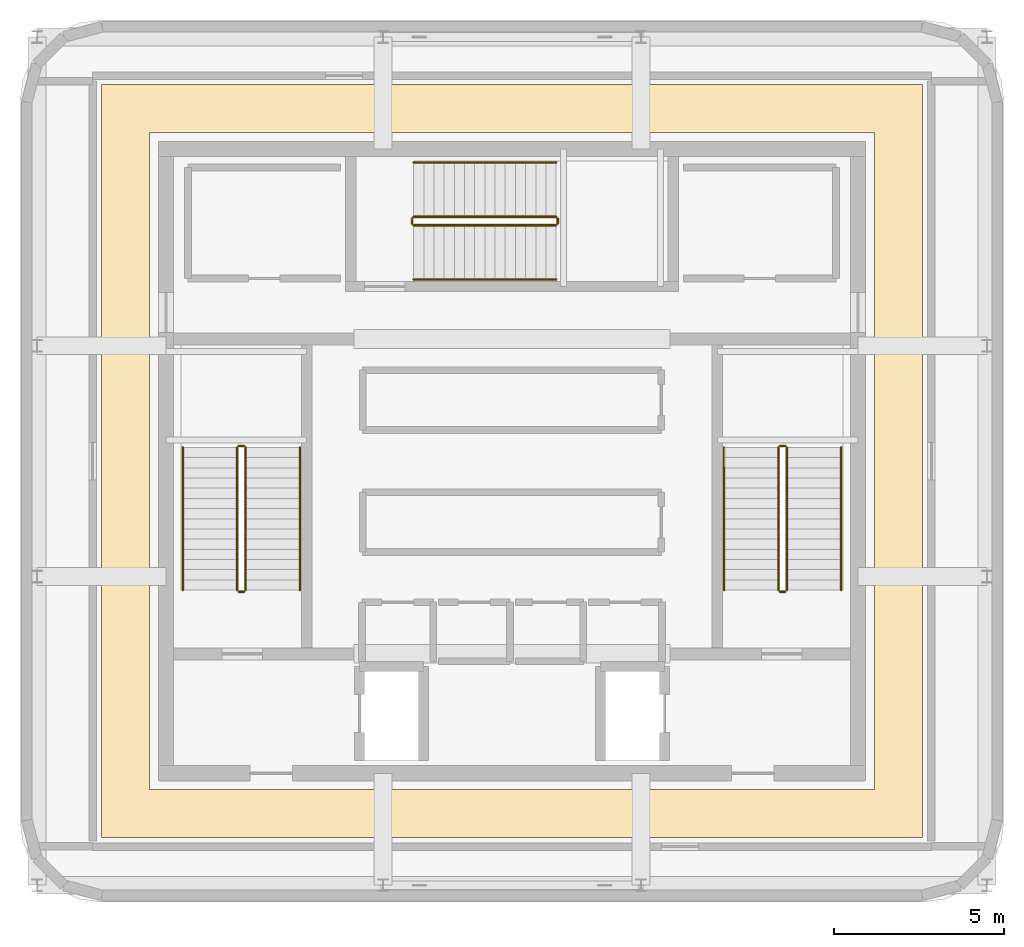
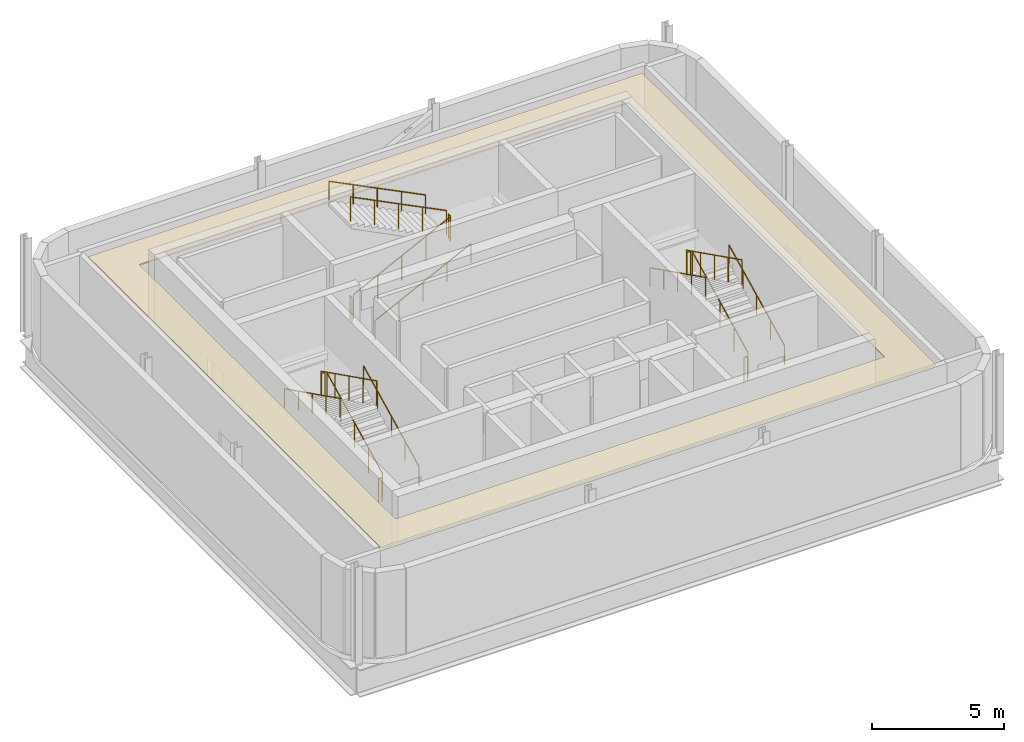
# One storey, part 4 of 4: 18 railings, 1 covering.
"""IFC4 building model written with IfcOpenShell, lengths in metres."""

from ifc_helpers import new_model, si_unit, direction, frame, origin, origin_2d, place, context, subcontext, project, spatial, polyline, circle, outline, extrude, material, layer, layer_set, type_object, element, save


model = new_model("IFC4")

# Units and contexts
model_context = context("Model", 3, precision=1e-05, world=origin(), true_north=direction((0.0, 1.0)))
body_context = subcontext(model_context, "Body", "Model", "MODEL_VIEW")
ifc_project = project(units=[si_unit("LENGTHUNIT", "METRE"), si_unit("AREAUNIT", "SQUARE_METRE"), si_unit("VOLUMEUNIT", "CUBIC_METRE"), si_unit("PLANEANGLEUNIT", "RADIAN"), si_unit("MASSUNIT", "GRAM", prefix="KILO")], contexts=[model_context])

# Site, building, storey
site_placement = place(None, origin())
site = spatial("IfcSite", under=ifc_project, at=site_placement, CompositionType="ELEMENT")
building_placement = place(site_placement, origin())
building = spatial("IfcBuilding", under=site, at=building_placement, Name="Punatoya Terracotta Tower", CompositionType="ELEMENT")
storey_placement = place(building_placement, frame((0.0, 0.0, 366.300048828125)))
storey = spatial("IfcBuildingStorey", under=building, at=storey_placement, Name="L86", CompositionType="ELEMENT", Elevation=366.300048828125)

# Covering
ifc_material_1 = material(Name="Acoustic Mineral Fibre Ceiling")
ifc_layer = layer(ifc_material_1, 0.06005859375)
ifc_layer_set = layer_set([ifc_layer], Name="Acoustic Mineral Fibre Ceiling")
covering_type = type_object("IfcCoveringType", Name="COV-CEIL-60", PredefinedType="CEILING", material=ifc_layer_set)
covering_placement = place(storey_placement, frame((0.0, 0.0, 3.669921875)))
element("IfcCovering", 1, at=covering_placement, inside=storey, type_object=covering_type, Name="L86 Baradari Crown Plant Ring Corridor Acoustic Ceiling", PredefinedType="CEILING", context=body_context, shape_type="SweptSolid", body=[
    extrude(outline(polyline([(-12.10009765625, 11.10009765625), (-12.10009765625, -11.10009765625), (12.10009765625, -11.10009765625), (12.10009765625, 11.10009765625), (-12.10009765625, 11.10009765625)]), holes=[polyline([(-10.679931640625, 9.679931640625), (10.679931640625, 9.679931640625), (10.679931640625, -9.679931640625), (-10.679931640625, -9.679931640625), (-10.679931640625, 9.679931640625)])]), origin(), (0.0, 0.0, 1.0), 0.06005859375),
])

# Railings
ifc_material_2 = material(Name="Steel S355", Category="steel")
railing_type_1 = type_object("IfcRailingType", Name="RLG-GRD-1150", PredefinedType="GUARDRAIL", material=ifc_material_2)
railing_1_placement = place(storey_placement, frame((-7.85009765625, -3.800048828125, 0.14990234375)))
element("IfcRailing", 2, at=railing_1_placement, inside=storey, type_object=railing_type_1, Name="L86 ST-1 stair guard 1", PredefinedType="GUARDRAIL", context=body_context, shape_type="SweptSolid", body=[
    extrude(circle(Radius=0.02392578125, at=origin_2d()), frame((0.0, 0.0, 1.1259765625), z_axis=(0.0, 0.894416792377, 0.447234392142), x_axis=(-1.0, 0.0, 0.0)), (0.0, 0.0, 1.0), 4.69580078125),
    extrude(circle(Radius=0.02099609375, at=origin_2d()), origin(), (0.0, 0.0, 1.0), 1.101806640625),
    extrude(circle(Radius=0.02099609375, at=origin_2d()), frame((0.0, 1.050048828125, 0.52490234375)), (0.0, 0.0, 1.0), 1.101806640625),
    extrude(circle(Radius=0.02099609375, at=origin_2d()), frame((0.0, 2.10009765625, 1.050048828125)), (0.0, 0.0, 1.0), 1.101806640625),
    extrude(circle(Radius=0.02099609375, at=origin_2d()), frame((0.0, 3.14990234375, 1.5751953125)), (0.0, 0.0, 1.0), 1.101806640625),
    extrude(circle(Radius=0.02099609375, at=origin_2d()), frame((0.0, 4.199951171875, 2.10009765625)), (0.0, 0.0, 1.0), 1.101806640625),
])
railing_2_placement = place(storey_placement, frame((-7.89990234375, 0.449951171875, 2.25)))
element("IfcRailing", 3, at=railing_2_placement, inside=storey, type_object=railing_type_1, Name="L86 ST-1 stair guard 2", PredefinedType="GUARDRAIL", context=body_context, shape_type="SweptSolid", body=[
    extrude(circle(Radius=0.02392578125, at=origin_2d()), frame((0.0, 0.0, 1.1259765625), z_axis=(-1.0, 0.0, 0.0), x_axis=(0.0, -1.0, 0.0)), (0.0, 0.0, 1.0), 0.150146484375),
    extrude(circle(Radius=0.02099609375, at=origin_2d()), origin(), (0.0, 0.0, 1.0), 1.101806640625),
    extrude(circle(Radius=0.02099609375, at=origin_2d()), frame((-0.150146484375, 0.0, 0.0)), (0.0, 0.0, 1.0), 1.101806640625),
])
railing_3_placement = place(storey_placement, frame((-8.10009765625, 0.39990234375, 2.39990234375)))
element("IfcRailing", 4, at=railing_3_placement, inside=storey, type_object=railing_type_1, Name="L86 ST-1 stair guard 3", PredefinedType="GUARDRAIL", context=body_context, shape_type="SweptSolid", body=[
    extrude(circle(Radius=0.02392578125, at=origin_2d()), frame((0.0, 0.0, 1.1259765625), z_axis=(0.0, -0.894416792377, 0.447234392142), x_axis=(1.0, 0.0, 0.0)), (0.0, 0.0, 1.0), 4.69580078125),
    extrude(circle(Radius=0.02099609375, at=origin_2d()), origin(), (0.0, 0.0, 1.0), 1.101806640625),
    extrude(circle(Radius=0.02099609375, at=origin_2d()), frame((0.0, -1.050048828125, 0.52490234375)), (0.0, 0.0, 1.0), 1.101806640625),
    extrude(circle(Radius=0.02099609375, at=origin_2d()), frame((0.0, -2.10009765625, 1.050048828125)), (0.0, 0.0, 1.0), 1.101806640625),
    extrude(circle(Radius=0.02099609375, at=origin_2d()), frame((0.0, -3.14990234375, 1.5751953125)), (0.0, 0.0, 1.0), 1.101806640625),
    extrude(circle(Radius=0.02099609375, at=origin_2d()), frame((0.0, -4.199951171875, 2.10009765625)), (0.0, 0.0, 1.0), 1.101806640625),
])
railing_4_placement = place(storey_placement, frame((-7.89990234375, -3.85009765625, 0.0)))
element("IfcRailing", 5, at=railing_4_placement, inside=storey, type_object=railing_type_1, Name="L86 ST-1 stair guard 4", PredefinedType="GUARDRAIL", context=body_context, shape_type="SweptSolid", body=[
    extrude(circle(Radius=0.02392578125, at=origin_2d()), frame((0.0, 0.0, 1.1259765625), z_axis=(-1.0, 0.0, 0.0), x_axis=(0.0, -1.0, 0.0)), (0.0, 0.0, 1.0), 0.150146484375),
    extrude(circle(Radius=0.02099609375, at=origin_2d()), origin(), (0.0, 0.0, 1.0), 1.101806640625),
    extrude(circle(Radius=0.02099609375, at=origin_2d()), frame((-0.150146484375, 0.0, 0.0)), (0.0, 0.0, 1.0), 1.101806640625),
])
railing_5_placement = place(storey_placement, frame((8.10009765625, -3.800048828125, 0.14990234375)))
element("IfcRailing", 6, at=railing_5_placement, inside=storey, type_object=railing_type_1, Name="L86 ST-2 stair guard 1", PredefinedType="GUARDRAIL", context=body_context, shape_type="SweptSolid", body=[
    extrude(circle(Radius=0.02392578125, at=origin_2d()), frame((0.0, 0.0, 1.1259765625), z_axis=(0.0, 0.894416792377, 0.447234392142), x_axis=(-1.0, 0.0, 0.0)), (0.0, 0.0, 1.0), 4.69580078125),
    extrude(circle(Radius=0.02099609375, at=origin_2d()), origin(), (0.0, 0.0, 1.0), 1.101806640625),
    extrude(circle(Radius=0.02099609375, at=origin_2d()), frame((0.0, 1.050048828125, 0.52490234375)), (0.0, 0.0, 1.0), 1.101806640625),
    extrude(circle(Radius=0.02099609375, at=origin_2d()), frame((0.0, 2.10009765625, 1.050048828125)), (0.0, 0.0, 1.0), 1.101806640625),
    extrude(circle(Radius=0.02099609375, at=origin_2d()), frame((0.0, 3.14990234375, 1.5751953125)), (0.0, 0.0, 1.0), 1.101806640625),
    extrude(circle(Radius=0.02099609375, at=origin_2d()), frame((0.0, 4.199951171875, 2.10009765625)), (0.0, 0.0, 1.0), 1.101806640625),
])
railing_6_placement = place(storey_placement, frame((8.050048828125, 0.449951171875, 2.25)))
element("IfcRailing", 7, at=railing_6_placement, inside=storey, type_object=railing_type_1, Name="L86 ST-2 stair guard 2", PredefinedType="GUARDRAIL", context=body_context, shape_type="SweptSolid", body=[
    extrude(circle(Radius=0.02392578125, at=origin_2d()), frame((0.0, 0.0, 1.1259765625), z_axis=(-1.0, 0.0, 0.0), x_axis=(0.0, -1.0, 0.0)), (0.0, 0.0, 1.0), 0.150146484375),
    extrude(circle(Radius=0.02099609375, at=origin_2d()), origin(), (0.0, 0.0, 1.0), 1.101806640625),
    extrude(circle(Radius=0.02099609375, at=origin_2d()), frame((-0.150146484375, 0.0, 0.0)), (0.0, 0.0, 1.0), 1.101806640625),
])
railing_7_placement = place(storey_placement, frame((7.85009765625, 0.39990234375, 2.39990234375)))
element("IfcRailing", 8, at=railing_7_placement, inside=storey, type_object=railing_type_1, Name="L86 ST-2 stair guard 3", PredefinedType="GUARDRAIL", context=body_context, shape_type="SweptSolid", body=[
    extrude(circle(Radius=0.02392578125, at=origin_2d()), frame((0.0, 0.0, 1.1259765625), z_axis=(0.0, -0.894416792377, 0.447234392142), x_axis=(1.0, 0.0, 0.0)), (0.0, 0.0, 1.0), 4.69580078125),
    extrude(circle(Radius=0.02099609375, at=origin_2d()), origin(), (0.0, 0.0, 1.0), 1.101806640625),
    extrude(circle(Radius=0.02099609375, at=origin_2d()), frame((0.0, -1.050048828125, 0.52490234375)), (0.0, 0.0, 1.0), 1.101806640625),
    extrude(circle(Radius=0.02099609375, at=origin_2d()), frame((0.0, -2.10009765625, 1.050048828125)), (0.0, 0.0, 1.0), 1.101806640625),
    extrude(circle(Radius=0.02099609375, at=origin_2d()), frame((0.0, -3.14990234375, 1.5751953125)), (0.0, 0.0, 1.0), 1.101806640625),
    extrude(circle(Radius=0.02099609375, at=origin_2d()), frame((0.0, -4.199951171875, 2.10009765625)), (0.0, 0.0, 1.0), 1.101806640625),
])
railing_8_placement = place(storey_placement, frame((8.050048828125, -3.85009765625, 0.0)))
element("IfcRailing", 9, at=railing_8_placement, inside=storey, type_object=railing_type_1, Name="L86 ST-2 stair guard 4", PredefinedType="GUARDRAIL", context=body_context, shape_type="SweptSolid", body=[
    extrude(circle(Radius=0.02392578125, at=origin_2d()), frame((0.0, 0.0, 1.1259765625), z_axis=(-1.0, 0.0, 0.0), x_axis=(0.0, -1.0, 0.0)), (0.0, 0.0, 1.0), 0.150146484375),
    extrude(circle(Radius=0.02099609375, at=origin_2d()), origin(), (0.0, 0.0, 1.0), 1.101806640625),
    extrude(circle(Radius=0.02099609375, at=origin_2d()), frame((-0.150146484375, 0.0, 0.0)), (0.0, 0.0, 1.0), 1.101806640625),
])
railing_9_placement = place(storey_placement, frame((-2.89990234375, 6.949951171875, 0.14990234375)))
element("IfcRailing", 10, at=railing_9_placement, inside=storey, type_object=railing_type_1, Name="L86 ST-3 stair guard 1", PredefinedType="GUARDRAIL", context=body_context, shape_type="SweptSolid", body=[
    extrude(circle(Radius=0.02392578125, at=origin_2d()), frame((0.0, 0.0, 1.1259765625), z_axis=(0.894416792377, 0.0, 0.447234392142), x_axis=(0.0, 1.0, 0.0)), (0.0, 0.0, 1.0), 4.69580078125),
    extrude(circle(Radius=0.02099609375, at=origin_2d()), origin(), (0.0, 0.0, 1.0), 1.101806640625),
    extrude(circle(Radius=0.02099609375, at=origin_2d()), frame((1.050048828125, 0.0, 0.52490234375)), (0.0, 0.0, 1.0), 1.101806640625),
    extrude(circle(Radius=0.02099609375, at=origin_2d()), frame((2.10009765625, 0.0, 1.050048828125)), (0.0, 0.0, 1.0), 1.101806640625),
    extrude(circle(Radius=0.02099609375, at=origin_2d()), frame((3.14990234375, 0.0, 1.5751953125)), (0.0, 0.0, 1.0), 1.101806640625),
    extrude(circle(Radius=0.02099609375, at=origin_2d()), frame((4.199951171875, 0.0, 2.10009765625)), (0.0, 0.0, 1.0), 1.101806640625),
])
railing_10_placement = place(storey_placement, frame((1.35009765625, 7.0, 2.25)))
element("IfcRailing", 11, at=railing_10_placement, inside=storey, type_object=railing_type_1, Name="L86 ST-3 stair guard 2", PredefinedType="GUARDRAIL", context=body_context, shape_type="SweptSolid", body=[
    extrude(circle(Radius=0.02392578125, at=origin_2d()), frame((0.0, 0.0, 1.1259765625), z_axis=(0.0, 1.0, 0.0), x_axis=(-1.0, 0.0, 0.0)), (0.0, 0.0, 1.0), 0.14990234375),
    extrude(circle(Radius=0.02099609375, at=origin_2d()), origin(), (0.0, 0.0, 1.0), 1.101806640625),
    extrude(circle(Radius=0.02099609375, at=origin_2d()), frame((0.0, 0.14990234375, 0.0)), (0.0, 0.0, 1.0), 1.101806640625),
])
railing_11_placement = place(storey_placement, frame((1.300048828125, 7.199951171875, 2.39990234375)))
element("IfcRailing", 12, at=railing_11_placement, inside=storey, type_object=railing_type_1, Name="L86 ST-3 stair guard 3", PredefinedType="GUARDRAIL", context=body_context, shape_type="SweptSolid", body=[
    extrude(circle(Radius=0.02392578125, at=origin_2d()), frame((0.0, 0.0, 1.1259765625), z_axis=(-0.894416792377, 0.0, 0.447234392142), x_axis=(0.0, -1.0, 0.0)), (0.0, 0.0, 1.0), 4.69580078125),
    extrude(circle(Radius=0.02099609375, at=origin_2d()), origin(), (0.0, 0.0, 1.0), 1.101806640625),
    extrude(circle(Radius=0.02099609375, at=origin_2d()), frame((-1.050048828125, 0.0, 0.52490234375)), (0.0, 0.0, 1.0), 1.101806640625),
    extrude(circle(Radius=0.02099609375, at=origin_2d()), frame((-2.10009765625, 0.0, 1.050048828125)), (0.0, 0.0, 1.0), 1.101806640625),
    extrude(circle(Radius=0.02099609375, at=origin_2d()), frame((-3.14990234375, 0.0, 1.5751953125)), (0.0, 0.0, 1.0), 1.101806640625),
    extrude(circle(Radius=0.02099609375, at=origin_2d()), frame((-4.199951171875, 0.0, 2.10009765625)), (0.0, 0.0, 1.0), 1.101806640625),
])
railing_12_placement = place(storey_placement, frame((-2.949951171875, 7.0, 0.0)))
element("IfcRailing", 13, at=railing_12_placement, inside=storey, type_object=railing_type_1, Name="L86 ST-3 stair guard 4", PredefinedType="GUARDRAIL", context=body_context, shape_type="SweptSolid", body=[
    extrude(circle(Radius=0.02392578125, at=origin_2d()), frame((0.0, 0.0, 1.1259765625), z_axis=(0.0, 1.0, 0.0), x_axis=(-1.0, 0.0, 0.0)), (0.0, 0.0, 1.0), 0.14990234375),
    extrude(circle(Radius=0.02099609375, at=origin_2d()), origin(), (0.0, 0.0, 1.0), 1.101806640625),
    extrude(circle(Radius=0.02099609375, at=origin_2d()), frame((0.0, 0.14990234375, 0.0)), (0.0, 0.0, 1.0), 1.101806640625),
])
railing_type_2 = type_object("IfcRailingType", Name="RLG-HND-900", PredefinedType="HANDRAIL", material=ifc_material_2)
railing_13_placement = place(storey_placement, frame((-6.25, -3.800048828125, 0.14990234375)))
element("IfcRailing", 14, at=railing_13_placement, inside=storey, type_object=railing_type_2, Name="L86 ST-1 stair handrail 1", PredefinedType="HANDRAIL", context=body_context, shape_type="SweptSolid", body=[
    extrude(circle(Radius=0.02392578125, at=origin_2d()), frame((0.0, 0.0, 0.8759765625), z_axis=(0.0, 0.894416792377, 0.447234392142), x_axis=(-1.0, 0.0, 0.0)), (0.0, 0.0, 1.0), 4.69580078125),
    extrude(circle(Radius=0.02099609375, at=origin_2d()), origin(), (0.0, 0.0, 1.0), 0.851806640625),
    extrude(circle(Radius=0.02099609375, at=origin_2d()), frame((0.0, 1.050048828125, 0.52490234375)), (0.0, 0.0, 1.0), 0.851806640625),
    extrude(circle(Radius=0.02099609375, at=origin_2d()), frame((0.0, 2.10009765625, 1.050048828125)), (0.0, 0.0, 1.0), 0.851806640625),
    extrude(circle(Radius=0.02099609375, at=origin_2d()), frame((0.0, 3.14990234375, 1.5751953125)), (0.0, 0.0, 1.0), 0.851806640625),
    extrude(circle(Radius=0.02099609375, at=origin_2d()), frame((0.0, 4.199951171875, 2.10009765625)), (0.0, 0.0, 1.0), 0.851806640625),
])
railing_14_placement = place(storey_placement, frame((-9.699951171875, 0.39990234375, 2.39990234375)))
element("IfcRailing", 15, at=railing_14_placement, inside=storey, type_object=railing_type_2, Name="L86 ST-1 stair handrail 2", PredefinedType="HANDRAIL", context=body_context, shape_type="SweptSolid", body=[
    extrude(circle(Radius=0.02392578125, at=origin_2d()), frame((0.0, 0.0, 0.8759765625), z_axis=(0.0, -0.894416792377, 0.447234392142), x_axis=(1.0, 0.0, 0.0)), (0.0, 0.0, 1.0), 4.69580078125),
    extrude(circle(Radius=0.02099609375, at=origin_2d()), origin(), (0.0, 0.0, 1.0), 0.851806640625),
    extrude(circle(Radius=0.02099609375, at=origin_2d()), frame((0.0, -1.050048828125, 0.52490234375)), (0.0, 0.0, 1.0), 0.851806640625),
    extrude(circle(Radius=0.02099609375, at=origin_2d()), frame((0.0, -2.10009765625, 1.050048828125)), (0.0, 0.0, 1.0), 0.851806640625),
    extrude(circle(Radius=0.02099609375, at=origin_2d()), frame((0.0, -3.14990234375, 1.5751953125)), (0.0, 0.0, 1.0), 0.851806640625),
    extrude(circle(Radius=0.02099609375, at=origin_2d()), frame((0.0, -4.199951171875, 2.10009765625)), (0.0, 0.0, 1.0), 0.851806640625),
])
railing_15_placement = place(storey_placement, frame((9.699951171875, -3.800048828125, 0.14990234375)))
element("IfcRailing", 16, at=railing_15_placement, inside=storey, type_object=railing_type_2, Name="L86 ST-2 stair handrail 1", PredefinedType="HANDRAIL", context=body_context, shape_type="SweptSolid", body=[
    extrude(circle(Radius=0.02392578125, at=origin_2d()), frame((0.0, 0.0, 0.8759765625), z_axis=(0.0, 0.894416792377, 0.447234392142), x_axis=(-1.0, 0.0, 0.0)), (0.0, 0.0, 1.0), 4.69580078125),
    extrude(circle(Radius=0.02099609375, at=origin_2d()), origin(), (0.0, 0.0, 1.0), 0.851806640625),
    extrude(circle(Radius=0.02099609375, at=origin_2d()), frame((0.0, 1.050048828125, 0.52490234375)), (0.0, 0.0, 1.0), 0.851806640625),
    extrude(circle(Radius=0.02099609375, at=origin_2d()), frame((0.0, 2.10009765625, 1.050048828125)), (0.0, 0.0, 1.0), 0.851806640625),
    extrude(circle(Radius=0.02099609375, at=origin_2d()), frame((0.0, 3.14990234375, 1.5751953125)), (0.0, 0.0, 1.0), 0.851806640625),
    extrude(circle(Radius=0.02099609375, at=origin_2d()), frame((0.0, 4.199951171875, 2.10009765625)), (0.0, 0.0, 1.0), 0.851806640625),
])
railing_16_placement = place(storey_placement, frame((6.25, 0.39990234375, 2.39990234375)))
element("IfcRailing", 17, at=railing_16_placement, inside=storey, type_object=railing_type_2, Name="L86 ST-2 stair handrail 2", PredefinedType="HANDRAIL", context=body_context, shape_type="SweptSolid", body=[
    extrude(circle(Radius=0.02392578125, at=origin_2d()), frame((0.0, 0.0, 0.8759765625), z_axis=(0.0, -0.894416792377, 0.447234392142), x_axis=(1.0, 0.0, 0.0)), (0.0, 0.0, 1.0), 4.69580078125),
    extrude(circle(Radius=0.02099609375, at=origin_2d()), origin(), (0.0, 0.0, 1.0), 0.851806640625),
    extrude(circle(Radius=0.02099609375, at=origin_2d()), frame((0.0, -1.050048828125, 0.52490234375)), (0.0, 0.0, 1.0), 0.851806640625),
    extrude(circle(Radius=0.02099609375, at=origin_2d()), frame((0.0, -2.10009765625, 1.050048828125)), (0.0, 0.0, 1.0), 0.851806640625),
    extrude(circle(Radius=0.02099609375, at=origin_2d()), frame((0.0, -3.14990234375, 1.5751953125)), (0.0, 0.0, 1.0), 0.851806640625),
    extrude(circle(Radius=0.02099609375, at=origin_2d()), frame((0.0, -4.199951171875, 2.10009765625)), (0.0, 0.0, 1.0), 0.851806640625),
])
railing_17_placement = place(storey_placement, frame((-2.89990234375, 5.35009765625, 0.14990234375)))
element("IfcRailing", 18, at=railing_17_placement, inside=storey, type_object=railing_type_2, Name="L86 ST-3 stair handrail 1", PredefinedType="HANDRAIL", context=body_context, shape_type="SweptSolid", body=[
    extrude(circle(Radius=0.02392578125, at=origin_2d()), frame((0.0, 0.0, 0.8759765625), z_axis=(0.894416792377, 0.0, 0.447234392142), x_axis=(0.0, 1.0, 0.0)), (0.0, 0.0, 1.0), 4.69580078125),
    extrude(circle(Radius=0.02099609375, at=origin_2d()), origin(), (0.0, 0.0, 1.0), 0.851806640625),
    extrude(circle(Radius=0.02099609375, at=origin_2d()), frame((1.050048828125, 0.0, 0.52490234375)), (0.0, 0.0, 1.0), 0.851806640625),
    extrude(circle(Radius=0.02099609375, at=origin_2d()), frame((2.10009765625, 0.0, 1.050048828125)), (0.0, 0.0, 1.0), 0.851806640625),
    extrude(circle(Radius=0.02099609375, at=origin_2d()), frame((3.14990234375, 0.0, 1.5751953125)), (0.0, 0.0, 1.0), 0.851806640625),
    extrude(circle(Radius=0.02099609375, at=origin_2d()), frame((4.199951171875, 0.0, 2.10009765625)), (0.0, 0.0, 1.0), 0.851806640625),
])
railing_18_placement = place(storey_placement, frame((1.300048828125, 8.800048828125, 2.39990234375)))
element("IfcRailing", 19, at=railing_18_placement, inside=storey, type_object=railing_type_2, Name="L86 ST-3 stair handrail 2", PredefinedType="HANDRAIL", context=body_context, shape_type="SweptSolid", body=[
    extrude(circle(Radius=0.02392578125, at=origin_2d()), frame((0.0, 0.0, 0.8759765625), z_axis=(-0.894416792377, 0.0, 0.447234392142), x_axis=(0.0, -1.0, 0.0)), (0.0, 0.0, 1.0), 4.69580078125),
    extrude(circle(Radius=0.02099609375, at=origin_2d()), origin(), (0.0, 0.0, 1.0), 0.851806640625),
    extrude(circle(Radius=0.02099609375, at=origin_2d()), frame((-1.050048828125, 0.0, 0.52490234375)), (0.0, 0.0, 1.0), 0.851806640625),
    extrude(circle(Radius=0.02099609375, at=origin_2d()), frame((-2.10009765625, 0.0, 1.050048828125)), (0.0, 0.0, 1.0), 0.851806640625),
    extrude(circle(Radius=0.02099609375, at=origin_2d()), frame((-3.14990234375, 0.0, 1.5751953125)), (0.0, 0.0, 1.0), 0.851806640625),
    extrude(circle(Radius=0.02099609375, at=origin_2d()), frame((-4.199951171875, 0.0, 2.10009765625)), (0.0, 0.0, 1.0), 0.851806640625),
])

save(model, "model.ifc")
